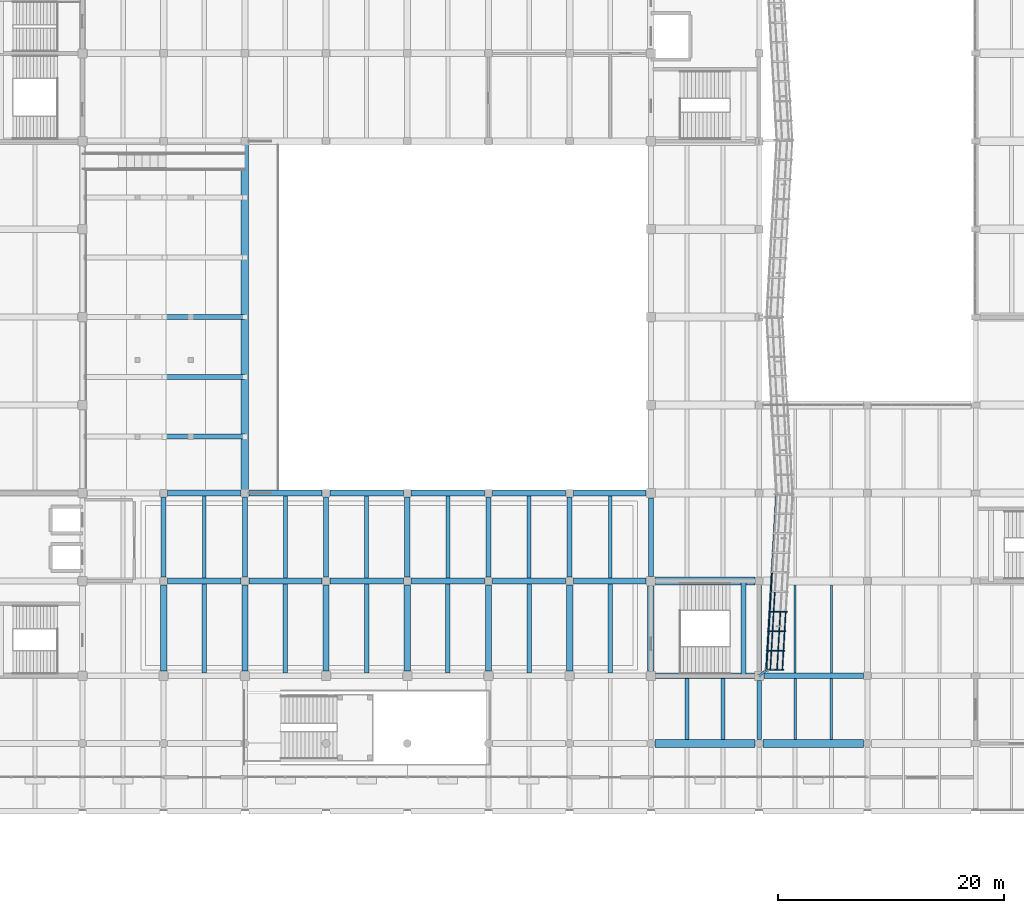
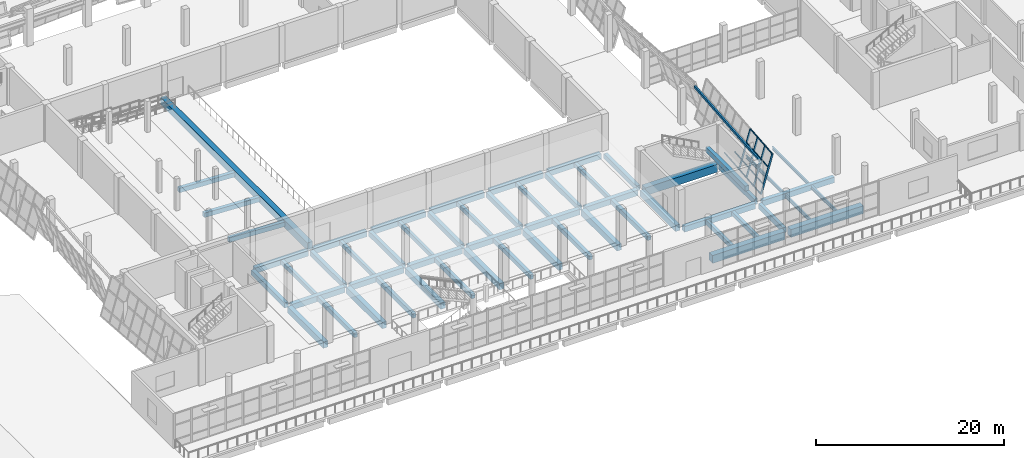
# One storey, part 20 of 79: 58 beams, 19 members, 1 element without a shape of its own.
"""IFC4 building model written with IfcOpenShell, lengths in metres."""

from ifc_helpers import new_model, si_unit, direction, frame, origin, origin_2d, place, context, subcontext, project, spatial, rectangle, hollow_rectangle, i_section, extrude, material, material_profile, profile_set, type_object, element, aggregate, save


model = new_model("IFC4")

# Units and contexts
model_context = context("Model", 3, precision=1e-05, world=origin(), true_north=direction((0.0, 1.0)))
body_context = subcontext(model_context, "Body", "Model", "MODEL_VIEW")
ifc_project = project(units=[si_unit("LENGTHUNIT", "METRE"), si_unit("AREAUNIT", "SQUARE_METRE"), si_unit("VOLUMEUNIT", "CUBIC_METRE"), si_unit("PLANEANGLEUNIT", "RADIAN"), si_unit("MASSUNIT", "GRAM", prefix="KILO")], contexts=[model_context])

# Site, building, storey
site_placement = place(None, origin())
site = spatial("IfcSite", under=ifc_project, at=site_placement, CompositionType="ELEMENT")
building_placement = place(site_placement, origin())
building = spatial("IfcBuilding", under=site, at=building_placement, Name="Pellamere Symphony Hall", CompositionType="ELEMENT")
storey_placement = place(building_placement, frame((0.0, 0.0, 10.199951171875)))
storey = spatial("IfcBuildingStorey", under=building, at=storey_placement, Name="L02", CompositionType="ELEMENT", Elevation=10.199951171875)

# Curtain wall, members
ifc_material_1 = material(Name="Thermally Broken Anodised Aluminium 6063-T6 Curtain Wall", Category="aluminium")
curtain_wall_type = type_object("IfcCurtainWallType", Name="Curtain Wall CW-01 (Tilted Faceted Crystal Low-Iron Curtain Wall)", PredefinedType="NOTDEFINED", material=ifc_material_1)
curtain_wall_placement = place(storey_placement, origin())
curtain_wall = element("IfcCurtainWall", 1, at=curtain_wall_placement, inside=storey, type_object=curtain_wall_type, Name="Crystal Faceted Curtain Wall CW-CR06 (L02)", PredefinedType="NOTDEFINED")
ifc_material_2 = material(Name="Anodised Architectural Aluminium 6063-T6", Category="aluminium")
ifc_material_profile_1 = material_profile(ifc_material_2, hollow_rectangle(XDim=0.074951171875, YDim=0.219970703125, WallThickness=0.0048828125, at=origin_2d()), Name="ALU-M75X220X5")
ifc_profile_set_1 = profile_set([ifc_material_profile_1], Name="Anodised Architectural Aluminium 6063-T6")
member_type_1 = type_object("IfcMemberType", Name="Curtain Wall Mullion ML-01 ALU-M75X220X5", PredefinedType="MULLION", material=ifc_profile_set_1)
member_1_placement = place(storey_placement, frame((119.4521484375, 30.537353515625, 0.0), z_axis=(0.284021911736, 0.0, 0.9588177896), x_axis=(-0.055224582463, -0.998339941676, 0.016358678005)))
member_1 = element("IfcMember", 2, at=member_1_placement, type_object=member_type_1, Name="CW1-006 crystal mullion 1", PredefinedType="MULLION", context=body_context, shape_type="SweptSolid", body=[
    extrude(hollow_rectangle(XDim=0.074951171875, YDim=0.219970703125, WallThickness=0.0048828125, at=origin_2d()), origin(), (0.0, 0.0, 1.0), 5.006103515625),
])
member_2_placement = place(storey_placement, frame((119.550048828125, 32.2333984375, 0.0), z_axis=(0.283977077304, 0.0, 0.958831069358), x_axis=(-0.055225347331, -0.998339941676, 0.016356095697)))
member_2 = element("IfcMember", 3, at=member_2_placement, type_object=member_type_1, Name="CW1-006 crystal mullion 2", PredefinedType="MULLION", context=body_context, shape_type="SweptSolid", body=[
    extrude(hollow_rectangle(XDim=0.074951171875, YDim=0.219970703125, WallThickness=0.0048828125, at=origin_2d()), origin(), (0.0, 0.0, 1.0), 5.006103515625),
])
member_3_placement = place(storey_placement, frame((119.64990234375, 33.966552734375, 0.0), z_axis=(0.284021911736, 0.0, 0.9588177896), x_axis=(-0.055224582463, -0.998339941676, 0.016358678005)))
member_3 = element("IfcMember", 4, at=member_3_placement, type_object=member_type_1, Name="CW1-006 crystal mullion 3", PredefinedType="MULLION", context=body_context, shape_type="SweptSolid", body=[
    extrude(hollow_rectangle(XDim=0.074951171875, YDim=0.219970703125, WallThickness=0.0048828125, at=origin_2d()), origin(), (0.0, 0.0, 1.0), 5.006103515625),
])
member_4_placement = place(storey_placement, frame((119.75, 35.699951171875, 0.0), z_axis=(0.284021911736, 0.0, 0.9588177896), x_axis=(-0.055224582463, -0.998339941676, 0.016358678005)))
member_4 = element("IfcMember", 5, at=member_4_placement, type_object=member_type_1, Name="CW1-006 crystal mullion 4", PredefinedType="MULLION", context=body_context, shape_type="SweptSolid", body=[
    extrude(hollow_rectangle(XDim=0.074951171875, YDim=0.219970703125, WallThickness=0.0048828125, at=origin_2d()), origin(), (0.0, 0.0, 1.0), 5.006103515625),
])
ifc_material_profile_2 = material_profile(ifc_material_2, hollow_rectangle(XDim=0.074951171875, YDim=0.179931640625, WallThickness=0.0048828125, at=origin_2d()), Name="ALU-T75X180X5")
ifc_profile_set_2 = profile_set([ifc_material_profile_2], Name="Anodised Architectural Aluminium 6063-T6")
member_type_2 = type_object("IfcMemberType", Name="Curtain Wall Transom TR-01 ALU-T75X180X5", PredefinedType="USERDEFINED", material=ifc_profile_set_2)
member_5_placement = place(storey_placement, frame((119.465087890625, 30.574951171875, 0.035888671875), z_axis=(0.057593652861, 0.998340107954, 0.0), x_axis=(-0.998340107954, 0.057593652861, 0.0)))
member_5 = element("IfcMember", 6, at=member_5_placement, type_object=member_type_2, Name="CW1-006 crystal transom 1.1", ObjectType="TRANSOM", PredefinedType="USERDEFINED", context=body_context, shape_type="SweptSolid", body=[
    extrude(hollow_rectangle(XDim=0.074951171875, YDim=0.179931640625, WallThickness=0.0048828125, at=origin_2d()), origin(), (0.0, 0.0, 1.0), 1.62353515625),
])
member_6_placement = place(storey_placement, frame((119.795654296875, 30.574951171875, 1.152099609375), z_axis=(0.057593652861, 0.998340107954, 0.0), x_axis=(-0.998340107954, 0.057593652861, 0.0)))
member_6 = element("IfcMember", 7, at=member_6_placement, type_object=member_type_2, Name="CW1-006 crystal transom 1.2", ObjectType="TRANSOM", PredefinedType="USERDEFINED", context=body_context, shape_type="SweptSolid", body=[
    extrude(hollow_rectangle(XDim=0.074951171875, YDim=0.179931640625, WallThickness=0.0048828125, at=origin_2d()), origin(), (0.0, 0.0, 1.0), 1.62353515625),
])
member_7_placement = place(storey_placement, frame((120.392822265625, 30.574951171875, 3.16796875), z_axis=(0.057593652861, 0.998340107954, 0.0), x_axis=(-0.998340107954, 0.057593652861, 0.0)))
member_7 = element("IfcMember", 8, at=member_7_placement, type_object=member_type_2, Name="CW1-006 crystal transom 1.3", ObjectType="TRANSOM", PredefinedType="USERDEFINED", context=body_context, shape_type="SweptSolid", body=[
    extrude(hollow_rectangle(XDim=0.074951171875, YDim=0.179931640625, WallThickness=0.0048828125, at=origin_2d()), origin(), (0.0, 0.0, 1.0), 1.62353515625),
])
member_8_placement = place(storey_placement, frame((120.865478515625, 30.574951171875, 4.76416015625), z_axis=(0.057593652861, 0.998340107954, 0.0), x_axis=(-0.998340107954, 0.057593652861, 0.0)))
member_8 = element("IfcMember", 9, at=member_8_placement, type_object=member_type_2, Name="CW1-006 crystal transom 1.4", ObjectType="TRANSOM", PredefinedType="USERDEFINED", context=body_context, shape_type="SweptSolid", body=[
    extrude(hollow_rectangle(XDim=0.074951171875, YDim=0.179931640625, WallThickness=0.0048828125, at=origin_2d()), origin(), (0.0, 0.0, 1.0), 1.62353515625),
])
member_9_placement = place(storey_placement, frame((119.562744140625, 32.270751953125, 0.035888671875), z_axis=(0.057610619545, 0.998339129012, 0.0), x_axis=(-0.998339129012, 0.057610619545, 0.0)))
member_9 = element("IfcMember", 10, at=member_9_placement, type_object=member_type_2, Name="CW1-006 crystal transom 2.1", ObjectType="TRANSOM", PredefinedType="USERDEFINED", context=body_context, shape_type="SweptSolid", body=[
    extrude(hollow_rectangle(XDim=0.074951171875, YDim=0.179931640625, WallThickness=0.0048828125, at=origin_2d()), origin(), (0.0, 0.0, 1.0), 1.6611328125),
])
member_10_placement = place(storey_placement, frame((119.893310546875, 32.270751953125, 1.152099609375), z_axis=(0.057610619545, 0.998339129012, 0.0), x_axis=(-0.998339129012, 0.057610619545, 0.0)))
member_10 = element("IfcMember", 11, at=member_10_placement, type_object=member_type_2, Name="CW1-006 crystal transom 2.2", ObjectType="TRANSOM", PredefinedType="USERDEFINED", context=body_context, shape_type="SweptSolid", body=[
    extrude(hollow_rectangle(XDim=0.074951171875, YDim=0.179931640625, WallThickness=0.0048828125, at=origin_2d()), origin(), (0.0, 0.0, 1.0), 1.6611328125),
])
member_11_placement = place(storey_placement, frame((120.490478515625, 32.270751953125, 3.16796875), z_axis=(0.057610619545, 0.998339129012, 0.0), x_axis=(-0.998339129012, 0.057610619545, 0.0)))
member_11 = element("IfcMember", 12, at=member_11_placement, type_object=member_type_2, Name="CW1-006 crystal transom 2.3", ObjectType="TRANSOM", PredefinedType="USERDEFINED", context=body_context, shape_type="SweptSolid", body=[
    extrude(hollow_rectangle(XDim=0.074951171875, YDim=0.179931640625, WallThickness=0.0048828125, at=origin_2d()), origin(), (0.0, 0.0, 1.0), 1.6611328125),
])
member_12_placement = place(storey_placement, frame((120.96337890625, 32.270751953125, 4.76416015625), z_axis=(0.057610619545, 0.998339129012, 0.0), x_axis=(-0.998339129012, 0.057610619545, 0.0)))
member_12 = element("IfcMember", 13, at=member_12_placement, type_object=member_type_2, Name="CW1-006 crystal transom 2.4", ObjectType="TRANSOM", PredefinedType="USERDEFINED", context=body_context, shape_type="SweptSolid", body=[
    extrude(hollow_rectangle(XDim=0.074951171875, YDim=0.179931640625, WallThickness=0.0048828125, at=origin_2d()), origin(), (0.0, 0.0, 1.0), 1.6611328125),
])
member_13_placement = place(storey_placement, frame((119.662841796875, 34.004150390625, 0.035888671875), z_axis=(0.057610619545, 0.998339129012, 0.0), x_axis=(-0.998339129012, 0.057610619545, 0.0)))
member_13 = element("IfcMember", 14, at=member_13_placement, type_object=member_type_2, Name="CW1-006 crystal transom 3.1", ObjectType="TRANSOM", PredefinedType="USERDEFINED", context=body_context, shape_type="SweptSolid", body=[
    extrude(hollow_rectangle(XDim=0.074951171875, YDim=0.179931640625, WallThickness=0.0048828125, at=origin_2d()), origin(), (0.0, 0.0, 1.0), 1.6611328125),
])
member_14_placement = place(storey_placement, frame((119.993408203125, 34.004150390625, 1.152099609375), z_axis=(0.057610619545, 0.998339129012, 0.0), x_axis=(-0.998339129012, 0.057610619545, 0.0)))
member_14 = element("IfcMember", 15, at=member_14_placement, type_object=member_type_2, Name="CW1-006 crystal transom 3.2", ObjectType="TRANSOM", PredefinedType="USERDEFINED", context=body_context, shape_type="SweptSolid", body=[
    extrude(hollow_rectangle(XDim=0.074951171875, YDim=0.179931640625, WallThickness=0.0048828125, at=origin_2d()), origin(), (0.0, 0.0, 1.0), 1.6611328125),
])
member_15_placement = place(storey_placement, frame((120.590576171875, 34.004150390625, 3.16796875), z_axis=(0.057610619545, 0.998339129012, 0.0), x_axis=(-0.998339129012, 0.057610619545, 0.0)))
member_15 = element("IfcMember", 16, at=member_15_placement, type_object=member_type_2, Name="CW1-006 crystal transom 3.3", ObjectType="TRANSOM", PredefinedType="USERDEFINED", context=body_context, shape_type="SweptSolid", body=[
    extrude(hollow_rectangle(XDim=0.074951171875, YDim=0.179931640625, WallThickness=0.0048828125, at=origin_2d()), origin(), (0.0, 0.0, 1.0), 1.6611328125),
])
member_16_placement = place(storey_placement, frame((121.063232421875, 34.004150390625, 4.76416015625), z_axis=(0.057610619545, 0.998339129012, 0.0), x_axis=(-0.998339129012, 0.057610619545, 0.0)))
member_16 = element("IfcMember", 17, at=member_16_placement, type_object=member_type_2, Name="CW1-006 crystal transom 3.4", ObjectType="TRANSOM", PredefinedType="USERDEFINED", context=body_context, shape_type="SweptSolid", body=[
    extrude(hollow_rectangle(XDim=0.074951171875, YDim=0.179931640625, WallThickness=0.0048828125, at=origin_2d()), origin(), (0.0, 0.0, 1.0), 1.6611328125),
])
member_17_placement = place(storey_placement, frame((119.7626953125, 35.737548828125, 0.035888671875), z_axis=(0.057610619545, 0.998339129012, 0.0), x_axis=(-0.998339129012, 0.057610619545, 0.0)))
member_17 = element("IfcMember", 18, at=member_17_placement, type_object=member_type_2, Name="CW1-006 crystal transom 4.1", ObjectType="TRANSOM", PredefinedType="USERDEFINED", context=body_context, shape_type="SweptSolid", body=[
    extrude(hollow_rectangle(XDim=0.074951171875, YDim=0.179931640625, WallThickness=0.0048828125, at=origin_2d()), origin(), (0.0, 0.0, 1.0), 1.6611328125),
])
member_18_placement = place(storey_placement, frame((120.093505859375, 35.737548828125, 1.152099609375), z_axis=(0.057464139598, 0.998347571069, 0.0), x_axis=(-0.998347571069, 0.057464139598, 0.0)))
member_18 = element("IfcMember", 19, at=member_18_placement, type_object=member_type_2, Name="CW1-006 crystal transom 4.2", ObjectType="TRANSOM", PredefinedType="USERDEFINED", context=body_context, shape_type="SweptSolid", body=[
    extrude(hollow_rectangle(XDim=0.074951171875, YDim=0.179931640625, WallThickness=0.0048828125, at=origin_2d()), origin(), (0.0, 0.0, 1.0), 1.6611328125),
])
member_19_placement = place(storey_placement, frame((119.86279296875, 37.470703125, 0.035888671875), z_axis=(0.057610619545, 0.998339129012, 0.0), x_axis=(-0.998339129012, 0.057610619545, 0.0)))
member_19 = element("IfcMember", 20, at=member_19_placement, type_object=member_type_2, Name="CW1-006 crystal transom 5.1", ObjectType="TRANSOM", PredefinedType="USERDEFINED", context=body_context, shape_type="SweptSolid", body=[
    extrude(hollow_rectangle(XDim=0.074951171875, YDim=0.179931640625, WallThickness=0.0048828125, at=origin_2d()), origin(), (0.0, 0.0, 1.0), 1.6611328125),
])
aggregate(curtain_wall, [member_1, member_2, member_3, member_4, member_5, member_6, member_7, member_8, member_9, member_10, member_11, member_12, member_13, member_14, member_15, member_16, member_17, member_18, member_19])

# Beams
ifc_material_3 = material(Name="Concrete 40 MPa", Category="concrete")
ifc_material_profile_3 = material_profile(ifc_material_3, rectangle(XDim=0.64990234375, YDim=0.949951171875, at=origin_2d()), Name="RC 650x950")
ifc_profile_set_3 = profile_set([ifc_material_profile_3], Name="Concrete 40 MPa")
beam_type_1 = type_object("IfcBeamType", Name="RC CB-03 650x950", PredefinedType="BEAM", material=ifc_profile_set_3)
beam_1_placement = place(storey_placement, frame((73.199951171875, 46.199951171875, 0.030029296875), z_axis=(0.0, 1.0, 0.0), x_axis=(-1.0, 0.0, 0.0)))
element("IfcBeam", 21, at=beam_1_placement, inside=storey, type_object=beam_type_1, Name="Stand Upper Circle Raker Support Girder 37", PredefinedType="BEAM", context=body_context, shape_type="SweptSolid", body=[
    extrude(rectangle(XDim=0.64990234375, YDim=0.949951171875, at=origin_2d()), origin(), (0.0, 0.0, 1.0), 31.199951171875),
])
ifc_material_profile_4 = material_profile(ifc_material_3, rectangle(XDim=0.550048828125, YDim=0.800048828125, at=origin_2d()), Name="RC 550x800")
ifc_profile_set_4 = profile_set([ifc_material_profile_4], Name="Concrete 40 MPa")
beam_type_2 = type_object("IfcBeamType", Name="RC CB-05 550x800", PredefinedType="BEAM", material=ifc_profile_set_4)
for number, where, z_axis, x_axis, name in (
    (22, (66.0, 30.425048828125, -0.679931640625), (0.0, 1.0, 0.0), (-1.0, 0.0, 0.0), "Girder CB-05-Y1274 (L02)"),
    (23, (73.199951171875, 30.425048828125, -0.679931640625), (0.0, 1.0, 0.0), (-1.0, 0.0, 0.0), "Girder CB-05-Y1280 (L02)"),
    (24, (80.39990234375, 30.425048828125, -0.679931640625), (0.0, 1.0, 0.0), (-1.0, 0.0, 0.0), "Girder CB-05-Y1284 (L02)"),
    (25, (87.60009765625, 30.425048828125, -0.679931640625), (0.0, 1.0, 0.0), (-1.0, 0.0, 0.0), "Girder CB-05-Y1288 (L02)"),
    (26, (94.800048828125, 30.425048828125, -0.679931640625), (0.0, 1.0, 0.0), (-1.0, 0.0, 0.0), "Girder CB-05-Y1297 (L02)"),
    (27, (102.0, 30.425048828125, -0.679931640625), (0.0, 1.0, 0.0), (-1.0, 0.0, 0.0), "Girder CB-05-Y1306 (L02)"),
):
    element("IfcBeam", number, at=place(storey_placement, frame(where, z_axis=z_axis, x_axis=x_axis)), inside=storey, type_object=beam_type_2, Name=name, PredefinedType="BEAM", context=body_context, shape_type="SweptSolid", body=[
        extrude(rectangle(XDim=0.550048828125, YDim=0.800048828125, at=origin_2d()), origin(), (0.0, 0.0, 1.0), 7.625),
    ])
beam_2_placement = place(storey_placement, frame((109.199951171875, 30.425048828125, -0.679931640625), z_axis=(0.0, 1.0, 0.0), x_axis=(-1.0, 0.0, 0.0)))
element("IfcBeam", 28, at=beam_2_placement, inside=storey, type_object=beam_type_2, Name="Girder CB-05-Y1315 (L02)", PredefinedType="BEAM", context=body_context, shape_type="SweptSolid", body=[
    extrude(rectangle(XDim=0.550048828125, YDim=0.800048828125, at=origin_2d()), origin(), (0.0, 0.0, 1.0), 7.550048828125),
])
ifc_material_profile_5 = material_profile(ifc_material_3, rectangle(XDim=0.449951171875, YDim=0.64990234375, at=origin_2d()), Name="RC 450x650")
ifc_profile_set_5 = profile_set([ifc_material_profile_5], Name="Concrete 40 MPa")
beam_type_3 = type_object("IfcBeamType", Name="RC CB-08 450x650", PredefinedType="BEAM", material=ifc_profile_set_5)
for number, where, z_axis, x_axis, name in (
    (29, (66.0, 38.75, -0.60498046875), (0.0, 1.0, 0.0), (-1.0, 0.0, 0.0), "Girder CB-08-Y1275 (L02)"),
    (30, (73.199951171875, 38.75, -0.60498046875), (0.0, 1.0, 0.0), (-1.0, 0.0, 0.0), "Girder CB-08-Y1281 (L02)"),
    (31, (80.39990234375, 38.75, -0.60498046875), (0.0, 1.0, 0.0), (-1.0, 0.0, 0.0), "Girder CB-08-Y1285 (L02)"),
    (32, (87.60009765625, 38.75, -0.60498046875), (0.0, 1.0, 0.0), (-1.0, 0.0, 0.0), "Girder CB-08-Y1289 (L02)"),
    (33, (94.800048828125, 38.75, -0.60498046875), (0.0, 1.0, 0.0), (-1.0, 0.0, 0.0), "Girder CB-08-Y1298 (L02)"),
    (34, (102.0, 38.75, -0.60498046875), (0.0, 1.0, 0.0), (-1.0, 0.0, 0.0), "Girder CB-08-Y1307 (L02)"),
):
    element("IfcBeam", number, at=place(storey_placement, frame(where, z_axis=z_axis, x_axis=x_axis)), inside=storey, type_object=beam_type_3, Name=name, PredefinedType="BEAM", context=body_context, shape_type="SweptSolid", body=[
        extrude(rectangle(XDim=0.449951171875, YDim=0.64990234375, at=origin_2d()), origin(), (0.0, 0.0, 1.0), 7.10009765625),
    ])
beam_3_placement = place(storey_placement, frame((109.199951171875, 38.824951171875, -0.60498046875), z_axis=(0.0, 1.0, 0.0), x_axis=(-1.0, 0.0, 0.0)))
element("IfcBeam", 35, at=beam_3_placement, inside=storey, type_object=beam_type_3, Name="Girder CB-08-Y1316 (L02)", PredefinedType="BEAM", context=body_context, shape_type="SweptSolid", body=[
    extrude(rectangle(XDim=0.449951171875, YDim=0.64990234375, at=origin_2d()), origin(), (0.0, 0.0, 1.0), 6.949951171875),
])
beam_4_placement = place(storey_placement, frame((117.4326171875, 29.97998046875, 1.85498046875), z_axis=(0.0, 1.0, 0.0), x_axis=(-1.0, 0.0, 0.0)))
element("IfcBeam", 36, at=beam_4_placement, inside=storey, type_object=beam_type_3, Name="Stair ST08-L02 Half Landing Support Beam (L02)", PredefinedType="BEAM", context=body_context, shape_type="SweptSolid", body=[
    extrude(rectangle(XDim=0.449951171875, YDim=0.64990234375, at=origin_2d()), origin(), (0.0, 0.0, 1.0), 8.43994140625),
])
ifc_material_profile_6 = material_profile(ifc_material_3, rectangle(XDim=0.39990234375, YDim=0.60009765625, at=origin_2d()), Name="RC 400x600")
ifc_profile_set_6 = profile_set([ifc_material_profile_6], Name="Concrete 40 MPa")
beam_type_4 = type_object("IfcBeamType", Name="RC CB-09 400x600", PredefinedType="BEAM", material=ifc_profile_set_6)
for number, where, z_axis, x_axis, name in (
    (37, (69.60009765625, 30.239990234375, -0.594970703125), (0.0, 1.0, 0.0), (-1.0, 0.0, 0.0), "Secondary Floor Beam CB-09-M0804 (L02)"),
    (38, (76.800048828125, 30.239990234375, -0.594970703125), (0.0, 1.0, 0.0), (-1.0, 0.0, 0.0), "Secondary Floor Beam CB-09-M0904 (L02)"),
    (39, (84.0, 30.239990234375, -0.594970703125), (0.0, 1.0, 0.0), (-1.0, 0.0, 0.0), "Secondary Floor Beam CB-09-M1004 (L02)"),
    (40, (91.199951171875, 30.239990234375, -0.594970703125), (0.0, 1.0, 0.0), (-1.0, 0.0, 0.0), "Secondary Floor Beam CB-09-M1104 (L02)"),
    (41, (98.39990234375, 30.239990234375, -0.594970703125), (0.0, 1.0, 0.0), (-1.0, 0.0, 0.0), "Secondary Floor Beam CB-09-M1204 (L02)"),
    (42, (105.60009765625, 30.239990234375, -0.594970703125), (0.0, 1.0, 0.0), (-1.0, 0.0, 0.0), "Secondary Floor Beam CB-09-M1304 (L02)"),
):
    element("IfcBeam", number, at=place(storey_placement, frame(where, z_axis=z_axis, x_axis=x_axis)), inside=storey, type_object=beam_type_4, Name=name, PredefinedType="BEAM", context=body_context, shape_type="SweptSolid", body=[
        extrude(rectangle(XDim=0.39990234375, YDim=0.60009765625, at=origin_2d()), origin(), (0.0, 0.0, 1.0), 7.889892578125),
    ])
ifc_material_4 = material(Name="Concrete 35 MPa", Category="concrete")
ifc_material_profile_7 = material_profile(ifc_material_4, rectangle(XDim=0.35009765625, YDim=0.550048828125, at=origin_2d()), Name="RC 350x550")
ifc_profile_set_7 = profile_set([ifc_material_profile_7], Name="Concrete 35 MPa")
beam_type_5 = type_object("IfcBeamType", Name="RC CB-10 350x550", PredefinedType="BEAM", material=ifc_profile_set_7)
for number, where, z_axis, x_axis, name in (
    (43, (69.60009765625, 38.669921875, -0.570068359375), (0.0, 1.0, 0.0), (-1.0, 0.0, 0.0), "Secondary Floor Beam CB-10-M0805 (L02)"),
    (44, (76.800048828125, 38.669921875, -0.570068359375), (0.0, 1.0, 0.0), (-1.0, 0.0, 0.0), "Secondary Floor Beam CB-10-M0905 (L02)"),
    (45, (84.0, 38.669921875, -0.570068359375), (0.0, 1.0, 0.0), (-1.0, 0.0, 0.0), "Secondary Floor Beam CB-10-M1005 (L02)"),
    (46, (91.199951171875, 38.669921875, -0.570068359375), (0.0, 1.0, 0.0), (-1.0, 0.0, 0.0), "Secondary Floor Beam CB-10-M1105 (L02)"),
    (47, (98.39990234375, 38.669921875, -0.570068359375), (0.0, 1.0, 0.0), (-1.0, 0.0, 0.0), "Secondary Floor Beam CB-10-M1205 (L02)"),
    (48, (105.60009765625, 38.669921875, -0.570068359375), (0.0, 1.0, 0.0), (-1.0, 0.0, 0.0), "Secondary Floor Beam CB-10-M1305 (L02)"),
):
    element("IfcBeam", number, at=place(storey_placement, frame(where, z_axis=z_axis, x_axis=x_axis)), inside=storey, type_object=beam_type_5, Name=name, PredefinedType="BEAM", context=body_context, shape_type="SweptSolid", body=[
        extrude(rectangle(XDim=0.35009765625, YDim=0.550048828125, at=origin_2d()), origin(), (0.0, 0.0, 1.0), 7.260009765625),
    ])
for number, where, z_axis, x_axis, name in (
    (49, (112.39990234375, 24.360107421875, -0.570068359375), (0.0, 1.0, 0.0), (-1.0, 0.0, 0.0), "Secondary Floor Beam CB-10-A1403 (L02)"),
    (50, (115.60009765625, 24.360107421875, -0.570068359375), (0.0, 1.0, 0.0), (-1.0, 0.0, 0.0), "Secondary Floor Beam CB-10-B1403 (L02)"),
):
    element("IfcBeam", number, at=place(storey_placement, frame(where, z_axis=z_axis, x_axis=x_axis)), inside=storey, type_object=beam_type_5, Name=name, PredefinedType="BEAM", context=body_context, shape_type="SweptSolid", body=[
        extrude(rectangle(XDim=0.35009765625, YDim=0.550048828125, at=origin_2d()), origin(), (0.0, 0.0, 1.0), 5.39990234375),
    ])
ifc_material_profile_8 = material_profile(ifc_material_3, rectangle(XDim=0.39990234375, YDim=0.699951171875, at=origin_2d()), Name="RC 400x700")
ifc_profile_set_8 = profile_set([ifc_material_profile_8], Name="Concrete 40 MPa")
beam_type_6 = type_object("IfcBeamType", Name="RC CB-13 400x700", PredefinedType="SPANDREL", material=ifc_profile_set_8)
beam_5_placement = place(storey_placement, frame((118.800048828125, 24.35009765625, -0.6298828125), z_axis=(0.0, 1.0, 0.0), x_axis=(-1.0, 0.0, 0.0)))
element("IfcBeam", 51, at=beam_5_placement, inside=storey, type_object=beam_type_6, Name="Girder CB-13-Y1327 (L02)", PredefinedType="SPANDREL", context=body_context, shape_type="SweptSolid", body=[
    extrude(rectangle(XDim=0.39990234375, YDim=0.699951171875, at=origin_2d()), origin(), (0.0, 0.0, 1.0), 5.224853515625),
])
beam_6_placement = place(storey_placement, frame((118.800048828125, 30.425048828125, -0.6298828125), z_axis=(0.0, 1.0, 0.0), x_axis=(-1.0, 0.0, 0.0)))
element("IfcBeam", 52, at=beam_6_placement, inside=storey, type_object=beam_type_6, Name="Girder CB-13-Y1328 (L02)", PredefinedType="SPANDREL", context=body_context, shape_type="SweptSolid", body=[
    extrude(rectangle(XDim=0.39990234375, YDim=0.699951171875, at=origin_2d()), origin(), (0.0, 0.0, 1.0), 7.625),
])
ifc_material_profile_9 = material_profile(ifc_material_3, rectangle(XDim=0.47998046875, YDim=0.719970703125, at=origin_2d()), Name="RC 480x720")
ifc_profile_set_9 = profile_set([ifc_material_profile_9], Name="Concrete 40 MPa")
beam_type_7 = type_object("IfcBeamType", Name="RC CB-14 480x720", PredefinedType="SPANDREL", material=ifc_profile_set_9)
beam_7_placement = place(storey_placement, frame((109.625, 30.0, -0.639892578125), z_axis=(1.0, 0.0, 0.0), x_axis=(0.0, 1.0, 0.0)))
element("IfcBeam", 53, at=beam_7_placement, inside=storey, type_object=beam_type_7, Name="Girder CB-14-X1082 (L02)", PredefinedType="SPANDREL", context=body_context, shape_type="SweptSolid", body=[
    extrude(rectangle(XDim=0.47998046875, YDim=0.719970703125, at=origin_2d()), origin(), (0.0, 0.0, 1.0), 8.75),
])
beam_8_placement = place(storey_placement, frame((119.22509765625, 30.0, -0.639892578125), z_axis=(1.0, 0.0, 0.0), x_axis=(0.0, 1.0, 0.0)))
element("IfcBeam", 54, at=beam_8_placement, inside=storey, type_object=beam_type_7, Name="Girder CB-14-X1083 (L02)", PredefinedType="SPANDREL", context=body_context, shape_type="SweptSolid", body=[
    extrude(rectangle(XDim=0.47998046875, YDim=0.719970703125, at=origin_2d()), origin(), (0.0, 0.0, 1.0), 8.824951171875),
])
ifc_material_profile_10 = material_profile(ifc_material_3, rectangle(XDim=0.43994140625, YDim=0.580078125, at=origin_2d()), Name="RC 440x580")
ifc_profile_set_10 = profile_set([ifc_material_profile_10], Name="Concrete 40 MPa")
beam_type_8 = type_object("IfcBeamType", Name="RC CB-20 440x580", PredefinedType="BEAM", material=ifc_profile_set_10)
for number, where, z_axis, x_axis, name in (
    (55, (73.199951171875, 51.199951171875, 0.030029296875), (-0.998928640095, 0.0, 0.046277121759), (0.0, -1.0, 0.0), "Stand Upper Circle Raker Beam CB-20-038"),
    (56, (73.199951171875, 56.5, 0.030029296875), (-0.998928640095, 0.0, 0.046277121759), (0.0, -1.0, 0.0), "Stand Upper Circle Raker Beam CB-20-040"),
    (57, (73.199951171875, 61.800048828125, 0.030029296875), (-0.998928640095, 0.0, 0.046277121759), (0.0, -1.0, 0.0), "Stand Upper Circle Raker Beam CB-20-042"),
):
    element("IfcBeam", number, at=place(storey_placement, frame(where, z_axis=z_axis, x_axis=x_axis)), inside=storey, type_object=beam_type_8, Name=name, PredefinedType="BEAM", context=body_context, shape_type="SweptSolid", body=[
        extrude(rectangle(XDim=0.43994140625, YDim=0.580078125, at=origin_2d()), origin(), (0.0, 0.0, 1.0), 7.132568359375),
    ])
ifc_material_profile_11 = material_profile(ifc_material_3, rectangle(XDim=0.719970703125, YDim=1.02001953125, at=origin_2d()), Name="RC 720x1020")
ifc_profile_set_11 = profile_set([ifc_material_profile_11], Name="Concrete 40 MPa")
beam_type_9 = type_object("IfcBeamType", Name="RC CB-23 720x1020", PredefinedType="BEAM", material=ifc_profile_set_11)
beam_9_placement = place(storey_placement, frame((109.550048828125, 24.0, -0.7900390625), z_axis=(1.0, 0.0, 0.0), x_axis=(0.0, 1.0, 0.0)))
element("IfcBeam", 58, at=beam_9_placement, inside=storey, type_object=beam_type_9, Name="Girder CB-23-X1064 (L02)", PredefinedType="BEAM", context=body_context, shape_type="SweptSolid", body=[
    extrude(rectangle(XDim=0.719970703125, YDim=1.02001953125, at=origin_2d()), origin(), (0.0, 0.0, 1.0), 8.89990234375),
])
beam_10_placement = place(storey_placement, frame((119.14990234375, 24.0, -0.7900390625), z_axis=(1.0, 0.0, 0.0), x_axis=(0.0, 1.0, 0.0)))
element("IfcBeam", 59, at=beam_10_placement, inside=storey, type_object=beam_type_9, Name="Girder CB-23-X1065 (L02)", PredefinedType="BEAM", context=body_context, shape_type="SweptSolid", body=[
    extrude(rectangle(XDim=0.719970703125, YDim=1.02001953125, at=origin_2d()), origin(), (0.0, 0.0, 1.0), 8.900146484375),
])
beam_11_placement = place(storey_placement, frame((109.625, 38.39990234375, -0.7900390625), z_axis=(1.0, 0.0, 0.0), x_axis=(0.0, 1.0, 0.0)))
element("IfcBeam", 60, at=beam_11_placement, inside=storey, type_object=beam_type_9, Name="Girder CB-23-X1102 (L02)", PredefinedType="BEAM", context=body_context, shape_type="SweptSolid", body=[
    extrude(rectangle(XDim=0.719970703125, YDim=1.02001953125, at=origin_2d()), origin(), (0.0, 0.0, 1.0), 8.824951171875),
])
ifc_material_profile_12 = material_profile(ifc_material_3, rectangle(XDim=0.5400390625, YDim=0.719970703125, at=origin_2d()), Name="RC 540x720")
ifc_profile_set_12 = profile_set([ifc_material_profile_12], Name="Concrete 40 MPa")
beam_type_10 = type_object("IfcBeamType", Name="RC CB-24 540x720", PredefinedType="BEAM", material=ifc_profile_set_12)
for number, where, z_axis, x_axis, name in (
    (61, (66.35009765625, 38.39990234375, -0.639892578125), (1.0, 0.0, 0.0), (0.0, 1.0, 0.0), "Girder CB-24-X1096 (L02)"),
    (62, (73.550048828125, 38.39990234375, -0.639892578125), (1.0, 0.0, 0.0), (0.0, 1.0, 0.0), "Girder CB-24-X1097 (L02)"),
    (63, (80.75, 38.39990234375, -0.639892578125), (1.0, 0.0, 0.0), (0.0, 1.0, 0.0), "Girder CB-24-X1098 (L02)"),
    (64, (87.949951171875, 38.39990234375, -0.639892578125), (1.0, 0.0, 0.0), (0.0, 1.0, 0.0), "Girder CB-24-X1099 (L02)"),
    (65, (95.14990234375, 38.39990234375, -0.639892578125), (1.0, 0.0, 0.0), (0.0, 1.0, 0.0), "Girder CB-24-X1100 (L02)"),
):
    element("IfcBeam", number, at=place(storey_placement, frame(where, z_axis=z_axis, x_axis=x_axis)), inside=storey, type_object=beam_type_10, Name=name, PredefinedType="BEAM", context=body_context, shape_type="SweptSolid", body=[
        extrude(rectangle(XDim=0.5400390625, YDim=0.719970703125, at=origin_2d()), origin(), (0.0, 0.0, 1.0), 6.5),
    ])
beam_12_placement = place(storey_placement, frame((102.35009765625, 38.39990234375, -0.639892578125), z_axis=(1.0, 0.0, 0.0), x_axis=(0.0, 1.0, 0.0)))
element("IfcBeam", 66, at=beam_12_placement, inside=storey, type_object=beam_type_10, Name="Girder CB-24-X1101 (L02)", PredefinedType="BEAM", context=body_context, shape_type="SweptSolid", body=[
    extrude(rectangle(XDim=0.5400390625, YDim=0.719970703125, at=origin_2d()), origin(), (0.0, 0.0, 1.0), 6.4248046875),
])
for number, where, z_axis, x_axis, name in (
    (67, (66.35009765625, 46.199951171875, -0.639892578125), (1.0, 0.0, 0.0), (0.0, 1.0, 0.0), "Girder CB-24-X1116 (L02)"),
    (68, (73.550048828125, 46.199951171875, -0.639892578125), (1.0, 0.0, 0.0), (0.0, 1.0, 0.0), "Girder CB-24-X1117 (L02)"),
    (69, (80.75, 46.199951171875, -0.639892578125), (1.0, 0.0, 0.0), (0.0, 1.0, 0.0), "Girder CB-24-X1118 (L02)"),
    (70, (87.949951171875, 46.199951171875, -0.639892578125), (1.0, 0.0, 0.0), (0.0, 1.0, 0.0), "Girder CB-24-X1119 (L02)"),
    (71, (95.14990234375, 46.199951171875, -0.639892578125), (1.0, 0.0, 0.0), (0.0, 1.0, 0.0), "Girder CB-24-X1120 (L02)"),
):
    element("IfcBeam", number, at=place(storey_placement, frame(where, z_axis=z_axis, x_axis=x_axis)), inside=storey, type_object=beam_type_10, Name=name, PredefinedType="BEAM", context=body_context, shape_type="SweptSolid", body=[
        extrude(rectangle(XDim=0.5400390625, YDim=0.719970703125, at=origin_2d()), origin(), (0.0, 0.0, 1.0), 6.5),
    ])
beam_13_placement = place(storey_placement, frame((102.35009765625, 46.199951171875, -0.639892578125), z_axis=(1.0, 0.0, 0.0), x_axis=(0.0, 1.0, 0.0)))
element("IfcBeam", 72, at=beam_13_placement, inside=storey, type_object=beam_type_10, Name="Girder CB-24-X1121 (L02)", PredefinedType="BEAM", context=body_context, shape_type="SweptSolid", body=[
    extrude(rectangle(XDim=0.5400390625, YDim=0.719970703125, at=origin_2d()), origin(), (0.0, 0.0, 1.0), 6.4248046875),
])
ifc_material_5 = material(Name="Steel CSA G40.21 350W", Category="steel")
ifc_material_profile_13 = material_profile(ifc_material_5, i_section(OverallWidth=0.19091796875, OverallDepth=0.4599609375, WebThickness=0.010009765625, FlangeThickness=0.014404296875, at=origin_2d()), Name="W460X82")
ifc_profile_set_13 = profile_set([ifc_material_profile_13], Name="Steel CSA G40.21 350W")
beam_type_11 = type_object("IfcBeamType", Name="Steel Joist SB-17 W460X82", PredefinedType="JOIST", material=ifc_profile_set_13)
for number, where, z_axis, x_axis, name in (
    (73, (122.0, 24.360107421875, -0.52490234375), (0.0, 1.0, 0.0), (-1.0, 0.0, 0.0), "Secondary Floor Beam SB-17-A1503 (L02)"),
    (74, (125.199951171875, 24.360107421875, -0.52490234375), (0.0, 1.0, 0.0), (-1.0, 0.0, 0.0), "Secondary Floor Beam SB-17-B1503 (L02)"),
):
    element("IfcBeam", number, at=place(storey_placement, frame(where, z_axis=z_axis, x_axis=x_axis)), inside=storey, type_object=beam_type_11, Name=name, PredefinedType="JOIST", context=body_context, shape_type="SweptSolid", body=[
        extrude(i_section(OverallWidth=0.19091796875, OverallDepth=0.4599609375, WebThickness=0.010009765625, FlangeThickness=0.014404296875, at=origin_2d()), origin(), (0.0, 0.0, 1.0), 5.39990234375),
    ])
ifc_material_profile_14 = material_profile(ifc_material_5, i_section(OverallWidth=0.179931640625, OverallDepth=0.4130859375, WebThickness=0.009765625, FlangeThickness=0.01513671875, at=origin_2d()), Name="W410X74")
ifc_profile_set_14 = profile_set([ifc_material_profile_14], Name="Steel CSA G40.21 350W")
beam_type_12 = type_object("IfcBeamType", Name="Steel Joist SB-19 W410X74", PredefinedType="JOIST", material=ifc_profile_set_14)
for number, where, z_axis, x_axis, name in (
    (75, (122.0, 30.239990234375, -0.50146484375), (0.0, 1.0, 0.0), (-1.0, 0.0, 0.0), "Secondary Floor Beam SB-19-A1504 (L02)"),
    (76, (125.199951171875, 30.239990234375, -0.50146484375), (0.0, 1.0, 0.0), (-1.0, 0.0, 0.0), "Secondary Floor Beam SB-19-B1504 (L02)"),
):
    element("IfcBeam", number, at=place(storey_placement, frame(where, z_axis=z_axis, x_axis=x_axis)), inside=storey, type_object=beam_type_12, Name=name, PredefinedType="JOIST", context=body_context, shape_type="SweptSolid", body=[
        extrude(i_section(OverallWidth=0.179931640625, OverallDepth=0.4130859375, WebThickness=0.009765625, FlangeThickness=0.01513671875, at=origin_2d()), origin(), (0.0, 0.0, 1.0), 7.800048828125),
    ])
ifc_material_profile_15 = material_profile(ifc_material_5, hollow_rectangle(XDim=0.203125, YDim=0.3046875, WallThickness=0.0126953125, at=origin_2d()), Name="HSS305X203X13")
ifc_profile_set_15 = profile_set([ifc_material_profile_15], Name="Steel CSA G40.21 350W")
beam_type_13 = type_object("IfcBeamType", Name="Steel Spandrel SB-26 HSS305X203X13", PredefinedType="SPANDREL", material=ifc_profile_set_15)
beam_14_placement = place(storey_placement, frame((119.449951171875, 30.5, 4.239990234375), z_axis=(0.057605519012, 0.998339423332, 0.0), x_axis=(-0.998339423332, 0.057605519012, 0.0)))
element("IfcBeam", 77, at=beam_14_placement, inside=storey, type_object=beam_type_13, Name="Crystal Perimeter Ring Beam CW-CR06 (L02)", PredefinedType="SPANDREL", context=body_context, shape_type="SweptSolid", body=[
    extrude(hollow_rectangle(XDim=0.203125, YDim=0.3046875, WallThickness=0.0126953125, at=origin_2d()), origin(), (0.0, 0.0, 1.0), 15.6259765625),
])
beam_15_placement = place(storey_placement, frame((118.800048828125, 30.0, 4.239990234375), z_axis=(0.792579713642, 0.609768314627, 0.0), x_axis=(-0.609768314627, 0.792579713642, 0.0)))
element("IfcBeam", 78, at=beam_15_placement, inside=storey, type_object=beam_type_13, Name="Crystal Ring Outrigger Bracket 013 (L02)", PredefinedType="SPANDREL", context=body_context, shape_type="SweptSolid", body=[
    extrude(hollow_rectangle(XDim=0.203125, YDim=0.3046875, WallThickness=0.0126953125, at=origin_2d()), origin(), (0.0, 0.0, 1.0), 0.820068359375),
])

save(model, "model.ifc")
